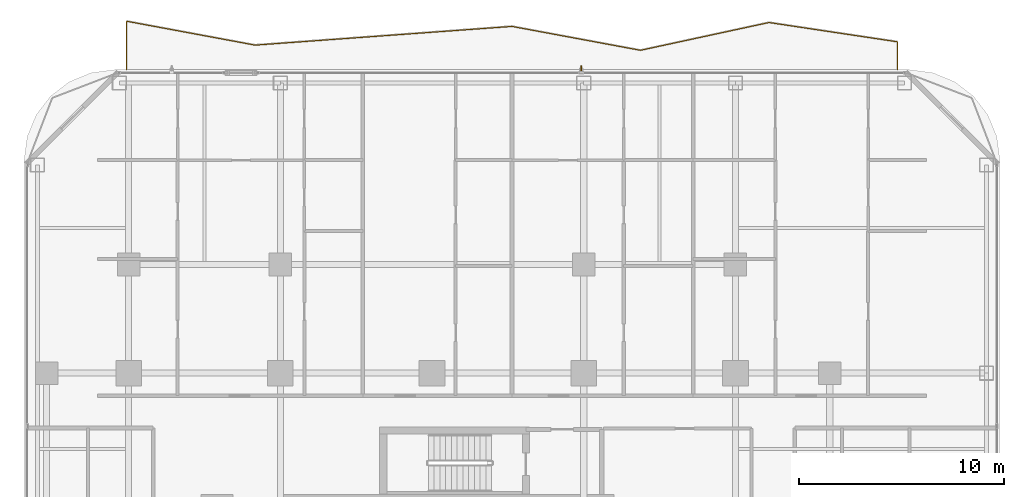
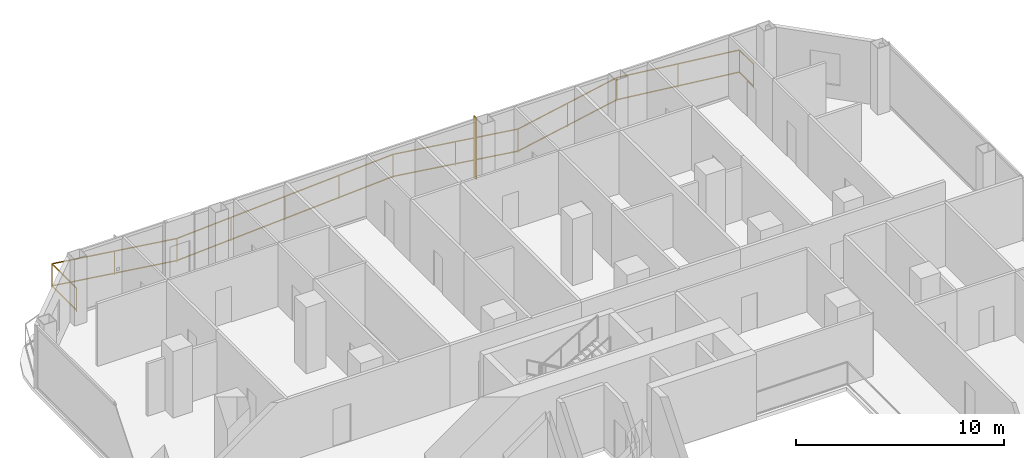
# One storey, part 29 of 30: 1 railing, 1 shading device.
"""IFC4 building model written with IfcOpenShell, lengths in metres."""

from ifc_helpers import new_model, si_unit, direction, frame, origin, origin_2d, place, context, subcontext, project, spatial, rectangle, extrude, material, layer, layer_set, type_object, element, save


model = new_model("IFC4")

# Units and contexts
model_context = context("Model", 3, precision=1e-05, world=origin(), true_north=direction((0.0, 1.0)))
body_context = subcontext(model_context, "Body", "Model", "MODEL_VIEW")
ifc_project = project(units=[si_unit("LENGTHUNIT", "METRE"), si_unit("AREAUNIT", "SQUARE_METRE"), si_unit("VOLUMEUNIT", "CUBIC_METRE"), si_unit("PLANEANGLEUNIT", "RADIAN"), si_unit("MASSUNIT", "GRAM", prefix="KILO")], contexts=[model_context])

# Site, building, storey
site_placement = place(None, origin())
site = spatial("IfcSite", under=ifc_project, at=site_placement, CompositionType="ELEMENT")
building_placement = place(site_placement, origin())
building = spatial("IfcBuilding", under=site, at=building_placement, Name="Khorvyn Point Tower", CompositionType="ELEMENT")
storey_placement = place(building_placement, frame((0.0, 0.0, 117.300048828125)))
storey = spatial("IfcBuildingStorey", under=building, at=storey_placement, Name="L29", CompositionType="ELEMENT", Elevation=117.300048828125)

# Railing
ifc_material_1 = material(Name="Anodised aluminium 6063-T6 and laminated safety glass", Category="aluminium")
railing_type = type_object("IfcRailingType", Name="Laminated Glass and Aluminium Balcony Guardrail 1400", PredefinedType="BALUSTRADE", material=ifc_material_1)
railing_placement = place(storey_placement, frame((22.699951171875, 29.60009765625, 0.0)))
element("IfcRailing", 1, at=railing_placement, inside=storey, type_object=railing_type, Name="L29 North Balcony Guardrail", PredefinedType="BALUSTRADE", context=body_context, shape_type="SweptSolid", body=[
    extrude(rectangle(XDim=0.048095703125, YDim=0.048095703125, at=origin_2d()), frame((0.0, 0.0, 1.3759765625), z_axis=(0.0, 1.0, 0.0), x_axis=(-1.0, 0.0, 0.0)), (0.0, 0.0, 1.0), 1.362548828125),
    extrude(rectangle(XDim=0.048095703125, YDim=0.048095703125, at=origin_2d()), frame((0.0, 0.0, 0.080078125), z_axis=(0.0, 1.0, 0.0), x_axis=(-1.0, 0.0, 0.0)), (0.0, 0.0, 1.0), 1.362548828125),
    extrude(rectangle(XDim=0.048095703125, YDim=0.048095703125, at=origin_2d()), frame((0.0, 1.362548828125, 1.3759765625), z_axis=(-0.988914865266, 0.148483632957, 0.0), x_axis=(-0.148483632957, -0.988914865266, 0.0)), (0.0, 0.0, 1.0), 6.3369140625),
    extrude(rectangle(XDim=0.048095703125, YDim=0.048095703125, at=origin_2d()), frame((0.0, 1.362548828125, 0.080078125), z_axis=(-0.988914865266, 0.148483632957, 0.0), x_axis=(-0.148483632957, -0.988914865266, 0.0)), (0.0, 0.0, 1.0), 6.3369140625),
    extrude(rectangle(XDim=0.048095703125, YDim=0.048095703125, at=origin_2d()), frame((-6.2666015625, 2.303466796875, 1.3759765625), z_axis=(-0.977405023503, -0.21137506956, 0.0), x_axis=(0.21137506956, -0.977405023503, 0.0)), (0.0, 0.0, 1.0), 6.411376953125),
    extrude(rectangle(XDim=0.048095703125, YDim=0.048095703125, at=origin_2d()), frame((-6.2666015625, 2.303466796875, 0.080078125), z_axis=(-0.977405023503, -0.21137506956, 0.0), x_axis=(0.21137506956, -0.977405023503, 0.0)), (0.0, 0.0, 1.0), 6.411376953125),
    extrude(rectangle(XDim=0.048095703125, YDim=0.048095703125, at=origin_2d()), frame((-12.533203125, 0.9482421875, 1.3759765625), z_axis=(-0.983141259558, 0.182847651764, 0.0), x_axis=(-0.182847651764, -0.983141259558, 0.0)), (0.0, 0.0, 1.0), 6.374267578125),
    extrude(rectangle(XDim=0.048095703125, YDim=0.048095703125, at=origin_2d()), frame((-12.533203125, 0.9482421875, 0.080078125), z_axis=(-0.983141259558, 0.182847651764, 0.0), x_axis=(-0.182847651764, -0.983141259558, 0.0)), (0.0, 0.0, 1.0), 6.374267578125),
    extrude(rectangle(XDim=0.048095703125, YDim=0.048095703125, at=origin_2d()), frame((-18.800048828125, 2.11376953125, 1.3759765625), z_axis=(-0.997359526721, -0.072622134776, 0.0), x_axis=(0.072622134776, -0.997359526721, 0.0)), (0.0, 0.0, 1.0), 6.283203125),
    extrude(rectangle(XDim=0.048095703125, YDim=0.048095703125, at=origin_2d()), frame((-18.800048828125, 2.11376953125, 0.080078125), z_axis=(-0.997359526721, -0.072622134776, 0.0), x_axis=(0.072622134776, -0.997359526721, 0.0)), (0.0, 0.0, 1.0), 6.283203125),
    extrude(rectangle(XDim=0.048095703125, YDim=0.048095703125, at=origin_2d()), frame((-25.066650390625, 1.657470703125, 1.3759765625), z_axis=(-0.997359526721, -0.072622134776, 0.0), x_axis=(0.072622134776, -0.997359526721, 0.0)), (0.0, 0.0, 1.0), 6.283203125),
    extrude(rectangle(XDim=0.048095703125, YDim=0.048095703125, at=origin_2d()), frame((-25.066650390625, 1.657470703125, 0.080078125), z_axis=(-0.997359526721, -0.072622134776, 0.0), x_axis=(0.072622134776, -0.997359526721, 0.0)), (0.0, 0.0, 1.0), 6.283203125),
    extrude(rectangle(XDim=0.048095703125, YDim=0.048095703125, at=origin_2d()), frame((-31.333251953125, 1.201171875, 1.3759765625), z_axis=(-0.983139978967, 0.182854537151, 0.0), x_axis=(-0.182854537151, -0.983139978967, 0.0)), (0.0, 0.0, 1.0), 6.3740234375),
    extrude(rectangle(XDim=0.048095703125, YDim=0.048095703125, at=origin_2d()), frame((-31.333251953125, 1.201171875, 0.080078125), z_axis=(-0.983139978967, 0.182854537151, 0.0), x_axis=(-0.182854537151, -0.983139978967, 0.0)), (0.0, 0.0, 1.0), 6.3740234375),
    extrude(rectangle(XDim=0.048095703125, YDim=0.048095703125, at=origin_2d()), frame((-37.599853515625, 2.36669921875, 1.3759765625), z_axis=(0.0, -1.0, 0.0), x_axis=(1.0, 0.0, 0.0)), (0.0, 0.0, 1.0), 2.36669921875),
    extrude(rectangle(XDim=0.048095703125, YDim=0.048095703125, at=origin_2d()), frame((-37.599853515625, 2.36669921875, 0.080078125), z_axis=(0.0, -1.0, 0.0), x_axis=(1.0, 0.0, 0.0)), (0.0, 0.0, 1.0), 2.36669921875),
    extrude(rectangle(XDim=0.0419921875, YDim=0.0419921875, at=origin_2d()), origin(), (0.0, 0.0, 1.0), 1.351806640625),
    extrude(rectangle(XDim=0.0419921875, YDim=0.0419921875, at=origin_2d()), frame((0.0, 1.362548828125, 0.0)), (0.0, 0.0, 1.0), 1.351806640625),
    extrude(rectangle(XDim=0.0419921875, YDim=0.0419921875, at=origin_2d()), frame((-3.13330078125, 1.8330078125, 0.0)), (0.0, 0.0, 1.0), 1.351806640625),
    extrude(rectangle(XDim=0.0419921875, YDim=0.0419921875, at=origin_2d()), frame((-6.2666015625, 2.303466796875, 0.0)), (0.0, 0.0, 1.0), 1.351806640625),
    extrude(rectangle(XDim=0.0419921875, YDim=0.0419921875, at=origin_2d()), frame((-9.39990234375, 1.6259765625, 0.0)), (0.0, 0.0, 1.0), 1.351806640625),
    extrude(rectangle(XDim=0.0419921875, YDim=0.0419921875, at=origin_2d()), frame((-12.533203125, 0.9482421875, 0.0)), (0.0, 0.0, 1.0), 1.351806640625),
    extrude(rectangle(XDim=0.0419921875, YDim=0.0419921875, at=origin_2d()), frame((-15.66650390625, 1.531005859375, 0.0)), (0.0, 0.0, 1.0), 1.351806640625),
    extrude(rectangle(XDim=0.0419921875, YDim=0.0419921875, at=origin_2d()), frame((-18.800048828125, 2.11376953125, 0.0)), (0.0, 0.0, 1.0), 1.351806640625),
    extrude(rectangle(XDim=0.0419921875, YDim=0.0419921875, at=origin_2d()), frame((-21.933349609375, 1.8857421875, 0.0)), (0.0, 0.0, 1.0), 1.351806640625),
    extrude(rectangle(XDim=0.0419921875, YDim=0.0419921875, at=origin_2d()), frame((-25.066650390625, 1.657470703125, 0.0)), (0.0, 0.0, 1.0), 1.351806640625),
    extrude(rectangle(XDim=0.0419921875, YDim=0.0419921875, at=origin_2d()), frame((-28.199951171875, 1.42919921875, 0.0)), (0.0, 0.0, 1.0), 1.351806640625),
    extrude(rectangle(XDim=0.0419921875, YDim=0.0419921875, at=origin_2d()), frame((-31.333251953125, 1.201171875, 0.0)), (0.0, 0.0, 1.0), 1.351806640625),
    extrude(rectangle(XDim=0.0419921875, YDim=0.0419921875, at=origin_2d()), frame((-34.466552734375, 1.783935546875, 0.0)), (0.0, 0.0, 1.0), 1.351806640625),
    extrude(rectangle(XDim=0.0419921875, YDim=0.0419921875, at=origin_2d()), frame((-37.599853515625, 2.36669921875, 0.0)), (0.0, 0.0, 1.0), 1.351806640625),
    extrude(rectangle(XDim=0.0419921875, YDim=0.0419921875, at=origin_2d()), frame((-37.599853515625, 0.0, 0.0)), (0.0, 0.0, 1.0), 1.351806640625),
])

# Shading device
ifc_material_2 = material(Name="Pale anodised aluminium 6063-T6", Category="aluminium")
ifc_layer = layer(ifc_material_2, 0.054931640625)
ifc_layer_set = layer_set([ifc_layer], Name="Pale Anodised Aluminium FIN 260x55")
shading_device_type = type_object("IfcShadingDeviceType", Name="Pale Anodised Aluminium FIN 260x55", PredefinedType="USERDEFINED", material=ifc_layer_set)
shading_device_placement = place(storey_placement, frame((7.275390625, 29.669921875, 0.039794921875), z_axis=(0.0, 0.0, 1.0), x_axis=(0.0, 1.0, 0.0)))
element("IfcShadingDevice", 2, at=shading_device_placement, inside=storey, type_object=shading_device_type, Name="L29 Anodised FIN 01", ObjectType="FIN", PredefinedType="USERDEFINED", context=body_context, shape_type="SweptSolid", body=[
    extrude(rectangle(XDim=0.260009765625, YDim=0.054931640625, at=origin_2d()), origin(), (0.0, 0.0, 1.0), 3.60009765625),
])

save(model, "model.ifc")
